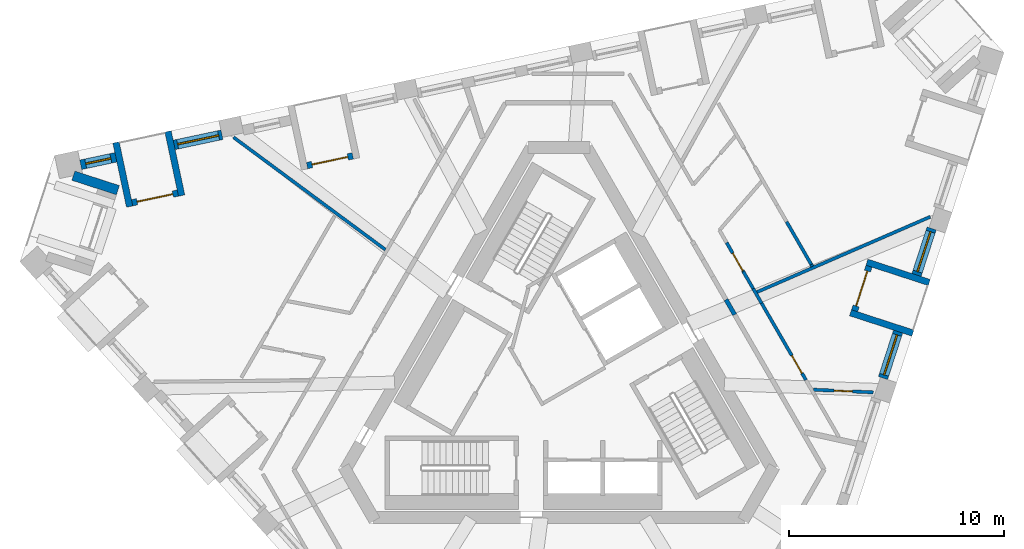
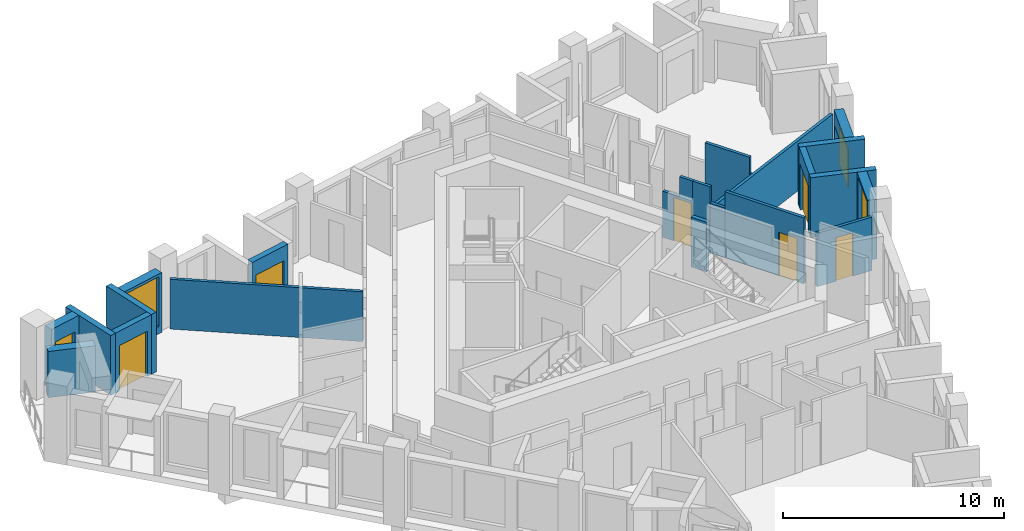
# One storey, part 6 of 12: 22 walls, 6 doors, 4 windows, 10 openings.
"""IFC4 building model written with IfcOpenShell, lengths in metres."""

import ifcopenshell
import ifcopenshell.guid

model = None  # the IFC model being written
_history = None  # IfcOwnerHistory: only IFC2X3 demands one
_inside = {}  # id of a spatial element -> (the spatial element, [elements in it])
_under = {}  # id of a project, library or spatial element -> (it, [spatial elements below it])
_declared = {}  # id of a project -> (the project, [libraries it declares])
_typed = {}  # id of a type object -> (the type object, [elements of that type])
_made_of = {}  # id of a material, layer set ... -> (it, [elements and type objects made of it])


def new_model(schema):
    """Start an empty IFC model of exactly this schema.

    Asked for "IFC4X3", IfcOpenShell would pick the latest addendum, in which some entities
    have other attributes; the version numbers below select the first issue.
    IFC2X3 requires an IfcOwnerHistory on every rooted entity: one is made here for all.
    """
    global model, _history
    if schema == "IFC4X3":
        model = ifcopenshell.file(schema_version=(4, 3, 0, 0))
    else:
        model = ifcopenshell.file(schema=schema)
    _inside.clear()
    _under.clear()
    _declared.clear()
    _typed.clear()
    _made_of.clear()
    _history = None
    if model.schema == "IFC2X3":
        org = make("IfcOrganization", Name="unknown")
        user = make(
            "IfcPersonAndOrganization",
            ThePerson=make("IfcPerson", FamilyName="unknown"),
            TheOrganization=org,
        )
        app = make(
            "IfcApplication",
            ApplicationDeveloper=org,
            Version="unknown",
            ApplicationFullName="unknown",
            ApplicationIdentifier="unknown",
        )
        _history = make(
            "IfcOwnerHistory",
            OwningUser=user,
            OwningApplication=app,
            ChangeAction="ADDED",
            CreationDate=0,
        )
    return model


def make(cls, **values):
    """One entity of the class cls with the attributes given. An attribute that is None is left unset."""
    return model.create_entity(
        cls, **{name: value for name, value in values.items() if value is not None}
    )


def rooted(cls, **values):
    """An entity with a GlobalId (a new one), such as an element, a storey or a relation."""
    return make(cls, GlobalId=ifcopenshell.guid.new(), OwnerHistory=_history, **values)


def si_unit(unit_type, name, prefix=None):
    """IfcSIUnit, for example si_unit("LENGTHUNIT", "METRE", prefix="MILLI")."""
    return make("IfcSIUnit", UnitType=unit_type, Prefix=prefix, Name=name)


def assignment(units):
    """IfcUnitAssignment: the units of a project."""
    return None if units is None else make("IfcUnitAssignment", Units=units)


def point(xyz):
    """IfcCartesianPoint."""
    return None if xyz is None else make("IfcCartesianPoint", Coordinates=xyz)


def direction(xyz):
    """IfcDirection."""
    return None if xyz is None else make("IfcDirection", DirectionRatios=xyz)


def frame(location, z_axis=None, x_axis=None):
    """IfcAxis2Placement3D, a coordinate frame: its origin and axes. An axis left out is left unset."""
    return make(
        "IfcAxis2Placement3D",
        Location=point(location),
        Axis=direction(z_axis),
        RefDirection=direction(x_axis),
    )


def frame_2d(location, x_axis=None):
    """IfcAxis2Placement2D, a coordinate frame in the plane: its origin and x axis."""
    return make(
        "IfcAxis2Placement2D", Location=point(location), RefDirection=direction(x_axis)
    )


def origin():
    """The frame at (0, 0, 0) with its axes left unset."""
    return frame((0.0, 0.0, 0.0))


def place(relative_to, where):
    """IfcLocalPlacement: puts the frame where relative to a parent placement (None: the world)."""
    return make(
        "IfcLocalPlacement", PlacementRelTo=relative_to, RelativePlacement=where
    )


def context(
    kind, dimensions, precision=None, world=None, true_north=None, identifier=None
):
    """IfcGeometricRepresentationContext, for example the 3D "Model" context."""
    return make(
        "IfcGeometricRepresentationContext",
        ContextIdentifier=identifier,
        ContextType=kind,
        CoordinateSpaceDimension=dimensions,
        Precision=precision,
        WorldCoordinateSystem=world,
        TrueNorth=true_north,
    )


def subcontext(parent, identifier, kind, view, scale=None):
    """IfcGeometricRepresentationSubContext, for example "Body" below "Model"."""
    return make(
        "IfcGeometricRepresentationSubContext",
        ContextIdentifier=identifier,
        ContextType=kind,
        ParentContext=parent,
        TargetScale=scale,
        TargetView=view,
    )


def project(units=None, contexts=None):
    """IfcProject with its units and contexts."""
    return rooted(
        "IfcProject",
        Name="project",
        RepresentationContexts=contexts,
        UnitsInContext=assignment(units),
    )


def spatial(cls, under=None, at=None, **own):
    """A site, building, storey or space (cls), placed at a placement, below another one or the project."""
    s = rooted(cls, ObjectPlacement=at, **own)
    if under is not None:
        _under.setdefault(under.id(), (under, []))[1].append(s)
    return s


def polyline(points):
    """IfcPolyline through the points."""
    return make("IfcPolyline", Points=[point(p) for p in points])


def profile(cls, at=None, kind="AREA", **sizes):
    """A parametric profile (cls). Its sizes go by their IFC names, for example OverallWidth=200.0."""
    return make(cls, ProfileType=kind, Position=at, **sizes)


def rectangle(**sizes):
    """IfcRectangleProfileDef."""
    return profile("IfcRectangleProfileDef", **sizes)


def outline(outer, holes=None, kind="AREA"):
    """IfcArbitraryClosedProfileDef: a profile drawn as a closed curve; with holes, ...WithVoids."""
    if holes is None:
        return make("IfcArbitraryClosedProfileDef", ProfileType=kind, OuterCurve=outer)
    return make(
        "IfcArbitraryProfileDefWithVoids",
        ProfileType=kind,
        OuterCurve=outer,
        InnerCurves=holes,
    )


def extrude(swept, where, along, depth):
    """IfcExtrudedAreaSolid: the profile swept, set in the frame where, extruded along a direction by depth."""
    return make(
        "IfcExtrudedAreaSolid",
        SweptArea=swept,
        Position=where,
        ExtrudedDirection=direction(along),
        Depth=depth,
    )


def shape(context_of_items, identifier, shape_type, items):
    """IfcShapeRepresentation: the items that make up one representation, for example the "Body"."""
    return make(
        "IfcShapeRepresentation",
        ContextOfItems=context_of_items,
        RepresentationIdentifier=identifier,
        RepresentationType=shape_type,
        Items=items,
    )


def material(Name=None, Category=None):
    """IfcMaterial."""
    return make("IfcMaterial", Name=Name, Category=Category)


def layer(
    of_material, thickness, ventilated=None, Name=None, Category=None, Priority=None
):
    """IfcMaterialLayer: one layer of a wall or slab, of a material (None: an air gap)."""
    return make(
        "IfcMaterialLayer",
        Material=of_material,
        LayerThickness=thickness,
        IsVentilated=ventilated,
        Name=Name,
        Category=Category,
        Priority=Priority,
    )


def layer_set(layers, Name=None):
    """IfcMaterialLayerSet."""
    return make("IfcMaterialLayerSet", MaterialLayers=layers, LayerSetName=Name)


def made_of(thing, what):
    """Note that an element or type object is made of a material, layer set ...; save() writes the relation."""
    if what is not None:
        _made_of.setdefault(what.id(), (what, []))[1].append(thing)
    return thing


def type_object(cls, material=None, **own):
    """A type object (cls), such as IfcWallType, which elements share."""
    return made_of(rooted(cls, **own), material)


def element(
    cls,
    number,
    at=None,
    inside=None,
    cuts=None,
    type_object=None,
    material=None,
    context=None,
    identifier="Body",
    shape_type=None,
    held_by="IfcProductDefinitionShape",
    body=None,
    shapes=None,
    **own,
):
    """One element of the class cls, such as IfcWall. Its Tag is "e" and its number.

    at: its placement. inside: the storey or other place that contains it. cuts: it is an
    opening in that element (IfcRelVoidsElement). A single representation is given by context,
    identifier, shape_type and body (its items); several are given by shapes. held_by: the class
    of the entity that holds the representations. save() writes the other relations.
    """
    e = rooted(cls, Tag="e%d" % number, ObjectPlacement=at, **own)
    if body is not None:
        shapes = [shape(context, identifier, shape_type, body)]
    if shapes is not None:
        e.Representation = make(held_by, Representations=shapes)
    if inside is not None:
        _inside.setdefault(inside.id(), (inside, []))[1].append(e)
    if cuts is not None:
        rooted(
            "IfcRelVoidsElement", RelatingBuildingElement=cuts, RelatedOpeningElement=e
        )
    if type_object is not None:
        _typed.setdefault(type_object.id(), (type_object, []))[1].append(e)
    return made_of(e, material)


def fill(opening, filler):
    """IfcRelFillsElement: the door or window that sits in an opening."""
    return rooted(
        "IfcRelFillsElement",
        RelatingOpeningElement=opening,
        RelatedBuildingElement=filler,
    )


def aggregate(whole, parts):
    """IfcRelAggregates: a whole, such as a stair, and the parts it consists of."""
    return rooted("IfcRelAggregates", RelatingObject=whole, RelatedObjects=parts)


def save(model, path):
    """Write the relations noted so far, then the file.

    IfcRelAggregates (storeys below a building ...), IfcRelContainedInSpatialStructure (elements
    in a storey), IfcRelDefinesByType, IfcRelAssociatesMaterial and IfcRelDeclares: one each for
    every whole, place, type object, material and project.
    """
    for whole, parts in _under.values():
        aggregate(whole, parts)
    for where, things in _inside.values():
        rooted(
            "IfcRelContainedInSpatialStructure",
            RelatedElements=things,
            RelatingStructure=where,
        )
    for kind, things in _typed.values():
        rooted("IfcRelDefinesByType", RelatedObjects=things, RelatingType=kind)
    for what, things in _made_of.values():
        rooted("IfcRelAssociatesMaterial", RelatedObjects=things, RelatingMaterial=what)
    for by, libraries in _declared.values():
        rooted("IfcRelDeclares", RelatingContext=by, RelatedDefinitions=libraries)
    model.write(path)


model = new_model("IFC4")

# Units and contexts
model_context = context("Model", 3, precision=1e-05, world=origin(), true_north=direction((0.0, 1.0)))
body_context = subcontext(model_context, "Body", "Model", "MODEL_VIEW")
ifc_project = project(units=[si_unit("LENGTHUNIT", "METRE"), si_unit("AREAUNIT", "SQUARE_METRE"), si_unit("VOLUMEUNIT", "CUBIC_METRE"), si_unit("PLANEANGLEUNIT", "RADIAN"), si_unit("MASSUNIT", "GRAM", prefix="KILO")], contexts=[model_context])

# Site, building, storey
site_placement = place(None, origin())
site = spatial("IfcSite", under=ifc_project, at=site_placement, CompositionType="ELEMENT")
building_placement = place(site_placement, origin())
building = spatial("IfcBuilding", under=site, at=building_placement, Name="Tramontana Tower", CompositionType="ELEMENT")
storey_placement = place(building_placement, frame((0.0, 0.0, 320.39990234375)))
storey = spatial("IfcBuildingStorey", under=building, at=storey_placement, Name="L73", CompositionType="ELEMENT", Elevation=320.39990234375)

# Wall
ifc_material_1 = material(Name="Blockwork", Category="masonry")
ifc_layer_1 = layer(ifc_material_1, 0.199951171875)
ifc_layer_set_1 = layer_set([ifc_layer_1], Name="ENTRY WALL 200")
wall_type_1 = type_object("IfcWallType", Name="ENTRY WALL 200", PredefinedType="SOLIDWALL", material=ifc_layer_set_1)
wall_1_placement = place(storey_placement, frame((7.765380859375, 3.64990234375, 0.0), z_axis=(0.0, 0.0, 1.0), x_axis=(0.500141487433, -0.865943700565, 0.0)))
element("IfcWall", 1, at=wall_1_placement, inside=storey, type_object=wall_type_1, Name="Wall v80-ew5-7", PredefinedType="SOLIDWALL", context=body_context, shape_type="SweptSolid", body=[
    extrude(rectangle(XDim=0.806884765625, YDim=0.199951171875, at=frame_2d((0.4033203125, 0.0))), origin(), (0.0, 0.0, 1.0), 2.75),
])

# Wall, opening, window
ifc_material_2 = material(Name="Precast concrete 60 MPa", Category="concrete")
ifc_layer_2 = layer(ifc_material_2, 0.449951171875)
ifc_layer_set_2 = layer_set([ifc_layer_2], Name="Precast concrete 60 MPa, 450 mm")
wall_type_2 = type_object("IfcWallType", Name="EW1 Stone-faced precast wall 450", PredefinedType="SOLIDWALL", material=ifc_layer_set_2)
wall_2_placement = place(storey_placement, frame((15.06298828125, 0.00244140625, 0.0), z_axis=(0.0, 0.0, 1.0), x_axis=(0.309059334219, 0.951042758204, 0.0)))
wall_2 = element("IfcWall", 2, at=wall_2_placement, inside=storey, type_object=wall_type_2, Name="External wall L73 face 1 bay 4", PredefinedType="SOLIDWALL", context=body_context, shape_type="SweptSolid", body=[
    extrude(rectangle(XDim=2.27099609375, YDim=0.449951171875, at=frame_2d((1.135498046875, 0.0))), origin(), (0.0, 0.0, 1.0), 3.300048828125),
])
opening_1_placement = place(wall_2_placement, frame((0.16064453125, 0.0, 0.39990234375)))
opening_1 = element("IfcOpeningElement", 3, at=opening_1_placement, cuts=wall_2, Name="Opening M3", PredefinedType="OPENING", context=body_context, shape_type="SweptSolid", body=[
    extrude(rectangle(XDim=1.949951171875, YDim=2.75, at=frame_2d((0.97509765625, 1.375))), frame((0.0, 0.23486328125, 0.0), z_axis=(0.0, -1.0, 0.0), x_axis=(1.0, 0.0, 0.0)), (0.0, 0.0, 1.0), 0.469970703125),
])
ifc_material_3 = material(Name="Aluminum frame, double glazing unit", Category="aluminium")
window_type_1 = type_object("IfcWindowType", Name="M3 Window 1.95 x 2.75", PartitioningType="SINGLE_PANEL", PredefinedType="WINDOW", material=ifc_material_3)
window_1_placement = place(opening_1_placement, origin())
window_1 = element("IfcWindow", 4, at=window_1_placement, inside=storey, type_object=window_type_1, Name="Window M3 L73 face 1 module 10", OverallHeight=2.75, OverallWidth=1.949951171875, PartitioningType="SINGLE_PANEL", PredefinedType="WINDOW", context=body_context, shape_type="SweptSolid", body=[
    extrude(rectangle(XDim=1.949951171875, YDim=2.75, at=frame_2d((0.97509765625, 1.375))), frame((0.0, 0.030029296875, 0.0), z_axis=(0.0, -1.0, 0.0), x_axis=(1.0, 0.0, 0.0)), (0.0, 0.0, 1.0), 0.06005859375),
])
fill(opening_1, window_1)

wall_3_placement = place(storey_placement, frame((16.62109375, 4.798095703125, 0.0), z_axis=(0.0, 0.0, 1.0), x_axis=(0.309027740273, 0.951053024674, 0.0)))
wall_3 = element("IfcWall", 5, at=wall_3_placement, inside=storey, type_object=wall_type_2, Name="External wall L73 face 1 bay 4", PredefinedType="SOLIDWALL", context=body_context, shape_type="SweptSolid", body=[
    extrude(rectangle(XDim=2.271240234375, YDim=0.449951171875, at=frame_2d((1.1357421875, 0.0))), origin(), (0.0, 0.0, 1.0), 3.300048828125),
])
opening_2_placement = place(wall_3_placement, frame((0.16064453125, 0.0, 0.39990234375)))
opening_2 = element("IfcOpeningElement", 6, at=opening_2_placement, cuts=wall_3, Name="Opening M3L", PredefinedType="OPENING", context=body_context, shape_type="SweptSolid", body=[
    extrude(rectangle(XDim=1.949951171875, YDim=2.10009765625, at=frame_2d((0.97509765625, 1.050048828125))), frame((0.0, 0.23486328125, 0.0), z_axis=(0.0, -1.0, 0.0), x_axis=(1.0, 0.0, 0.0)), (0.0, 0.0, 1.0), 0.469970703125),
])
ifc_material_4 = material(Name="Aluminum frame, double glazing unit", Category="aluminium")
window_type_2 = type_object("IfcWindowType", Name="M3L Window 1.95 x 2.1", PartitioningType="SINGLE_PANEL", PredefinedType="WINDOW", material=ifc_material_4)
window_2_placement = place(opening_2_placement, origin())
window_2 = element("IfcWindow", 7, at=window_2_placement, inside=storey, type_object=window_type_2, Name="Window M3L L73 face 1 module 12", OverallHeight=2.10009765625, OverallWidth=1.949951171875, PartitioningType="SINGLE_PANEL", PredefinedType="WINDOW", context=body_context, shape_type="SweptSolid", body=[
    extrude(rectangle(XDim=1.949951171875, YDim=2.10009765625, at=frame_2d((0.97509765625, 1.050048828125))), frame((0.0, 0.030029296875, 0.0), z_axis=(0.0, -1.0, 0.0), x_axis=(1.0, 0.0, 0.0)), (0.0, 0.0, 1.0), 0.06005859375),
])
fill(opening_2, window_2)

wall_4_placement = place(storey_placement, frame((-15.665771484375, 11.315185546875, 0.0), z_axis=(0.0, 0.0, 1.0), x_axis=(-0.978148740936, -0.207906326516, 0.0)))
wall_4 = element("IfcWall", 8, at=wall_4_placement, inside=storey, type_object=wall_type_2, Name="External wall L73 face 2 bay 5", PredefinedType="SOLIDWALL", context=body_context, shape_type="SweptSolid", body=[
    extrude(rectangle(XDim=2.27099609375, YDim=0.449951171875, at=frame_2d((1.135498046875, 0.0))), origin(), (0.0, 0.0, 1.0), 3.300048828125),
])
opening_3_placement = place(wall_4_placement, frame((0.16064453125, 0.0, 0.39990234375)))
opening_3 = element("IfcOpeningElement", 9, at=opening_3_placement, cuts=wall_4, Name="Opening M3", PredefinedType="OPENING", context=body_context, shape_type="SweptSolid", body=[
    extrude(rectangle(XDim=1.949951171875, YDim=2.75, at=frame_2d((0.97509765625, 1.375))), frame((0.0, 0.23486328125, 0.0), z_axis=(0.0, -1.0, 0.0), x_axis=(1.0, 0.0, 0.0)), (0.0, 0.0, 1.0), 0.469970703125),
])
window_3_placement = place(opening_3_placement, origin())
window_3 = element("IfcWindow", 10, at=window_3_placement, inside=storey, type_object=window_type_1, Name="Window M3 L73 face 2 module 13", OverallHeight=2.75, OverallWidth=1.949951171875, PartitioningType="SINGLE_PANEL", PredefinedType="WINDOW", context=body_context, shape_type="SweptSolid", body=[
    extrude(rectangle(XDim=1.949951171875, YDim=2.75, at=frame_2d((0.97509765625, 1.375))), frame((0.0, 0.030029296875, 0.0), z_axis=(0.0, -1.0, 0.0), x_axis=(1.0, 0.0, 0.0)), (0.0, 0.0, 1.0), 0.06005859375),
])
fill(opening_3, window_3)

wall_5_placement = place(storey_placement, frame((-20.59814453125, 10.266845703125, 0.0), z_axis=(0.0, 0.0, 1.0), x_axis=(-0.978126168783, -0.208012494676, 0.0)))
wall_5 = element("IfcWall", 11, at=wall_5_placement, inside=storey, type_object=wall_type_2, Name="External wall L73 face 2 bay 5", PredefinedType="SOLIDWALL", context=body_context, shape_type="SweptSolid", body=[
    extrude(rectangle(XDim=1.67138671875, YDim=0.449951171875, at=frame_2d((0.835693359375, 0.0))), origin(), (0.0, 0.0, 1.0), 3.300048828125),
])
opening_4_placement = place(wall_5_placement, frame((0.235595703125, 0.0, 0.39990234375)))
opening_4 = element("IfcOpeningElement", 12, at=opening_4_placement, cuts=wall_5, Name="Opening N3L", PredefinedType="OPENING", context=body_context, shape_type="SweptSolid", body=[
    extrude(rectangle(XDim=1.199951171875, YDim=2.10009765625, at=frame_2d((0.60009765625, 1.050048828125))), frame((0.0, 0.23486328125, 0.0), z_axis=(0.0, -1.0, 0.0), x_axis=(1.0, 0.0, 0.0)), (0.0, 0.0, 1.0), 0.469970703125),
])
ifc_material_5 = material(Name="Aluminum frame, double glazing unit", Category="aluminium")
window_type_3 = type_object("IfcWindowType", Name="N3L Window 1.2 x 2.1", PartitioningType="SINGLE_PANEL", PredefinedType="WINDOW", material=ifc_material_5)
window_4_placement = place(opening_4_placement, origin())
window_4 = element("IfcWindow", 13, at=window_4_placement, inside=storey, type_object=window_type_3, Name="Window N3L L73 face 2 module 15", OverallHeight=2.10009765625, OverallWidth=1.199951171875, PartitioningType="SINGLE_PANEL", PredefinedType="WINDOW", context=body_context, shape_type="SweptSolid", body=[
    extrude(rectangle(XDim=1.199951171875, YDim=2.10009765625, at=frame_2d((0.60009765625, 1.050048828125))), frame((0.0, 0.030029296875, 0.0), z_axis=(0.0, -1.0, 0.0), x_axis=(1.0, 0.0, 0.0)), (0.0, 0.0, 1.0), 0.06005859375),
])
fill(opening_4, window_4)

# Wall
wall_6_placement = place(storey_placement, frame((-22.57568359375, 9.411865234375, 0.0), z_axis=(0.0, 0.0, 1.0), x_axis=(0.951064526973, -0.308992338955, 0.0)))
element("IfcWall", 14, at=wall_6_placement, inside=storey, type_object=wall_type_2, Name="Corner loggia side wall L73 K80r", PredefinedType="SOLIDWALL", context=body_context, shape_type="SweptSolid", body=[
    extrude(rectangle(XDim=2.17919921875, YDim=0.449951171875, at=frame_2d((1.089599609375, 0.0))), origin(), (0.0, 0.0, 1.0), 2.550048828125),
])

# Wall, opening, door
ifc_material_6 = material(Name="Precast concrete 60 MPa", Category="concrete")
ifc_layer_3 = layer(ifc_material_6, 0.300048828125)
ifc_layer_set_3 = layer_set([ifc_layer_3], Name="LW1 Stone-faced loggia wall 300")
wall_type_3 = type_object("IfcWallType", Name="LW1 Stone-faced loggia wall 300", PredefinedType="SOLIDWALL", material=ifc_layer_set_3)
wall_7_placement = place(storey_placement, frame((13.741455078125, 3.13525390625, 0.0), z_axis=(0.0, 0.0, 1.0), x_axis=(0.308966581759, 0.95107289487, 0.0)))
wall_7 = element("IfcWall", 15, at=wall_7_placement, inside=storey, type_object=wall_type_3, Name="Loggia wall L73 G8S1.10", PredefinedType="SOLIDWALL", context=body_context, shape_type="SweptSolid", body=[
    extrude(rectangle(XDim=2.17138671875, YDim=0.300048828125, at=frame_2d((1.085693359375, 0.0))), origin(), (0.0, 0.0, 1.0), 3.300048828125),
])
opening_5_placement = place(wall_7_placement, frame((0.235595703125, 0.0, 0.0)))
opening_5 = element("IfcOpeningElement", 16, at=opening_5_placement, cuts=wall_7, Name="Opening BD-8S1-10", PredefinedType="OPENING", context=body_context, shape_type="SweptSolid", body=[
    extrude(rectangle(XDim=1.699951171875, YDim=2.5, at=frame_2d((0.85009765625, 1.25))), frame((0.0, 0.159912109375, 0.0), z_axis=(0.0, -1.0, 0.0), x_axis=(1.0, 0.0, 0.0)), (0.0, 0.0, 1.0), 0.320068359375),
])
ifc_material_7 = material(Name="Aluminum frame, double glazing unit", Category="aluminium")
door_type_1 = type_object("IfcDoorType", Name="BD3 Sliding door 1.7 x 2.5", OperationType="SLIDING_TO_LEFT", PredefinedType="DOOR", material=ifc_material_7)
door_1_placement = place(opening_5_placement, origin())
door_1 = element("IfcDoor", 17, at=door_1_placement, inside=storey, type_object=door_type_1, Name="Loggia door L73 G8S1.10", OperationType="SLIDING_TO_LEFT", OverallHeight=2.5, OverallWidth=1.699951171875, PredefinedType="DOOR", context=body_context, shape_type="SweptSolid", body=[
    extrude(rectangle(XDim=1.699951171875, YDim=2.5, at=frame_2d((0.85009765625, 1.25))), frame((0.0, 0.02490234375, 0.0), z_axis=(0.0, -1.0, 0.0), x_axis=(1.0, 0.0, 0.0)), (0.0, 0.0, 1.0), 0.050048828125),
])
fill(opening_5, door_1)

# Walls
for number, where, z_axis, x_axis, name in (
    (18, (16.453125, 2.096435546875, 0.0), (0.0, 0.0, 1.0), (-0.951041715693, 0.309062542235, 0.0), "Loggia return L73 G8S1.10a"),
    (19, (17.216796875, 4.44677734375, 0.0), (0.0, 0.0, 1.0), (-0.951041715693, 0.309062542235, 0.0), "Loggia return L73 G8S1.10b"),
):
    element("IfcWall", number, at=place(storey_placement, frame(where, z_axis=z_axis, x_axis=x_axis)), inside=storey, type_object=wall_type_3, Name=name, PredefinedType="SOLIDWALL", context=body_context, shape_type="SweptSolid", body=[
        extrude(rectangle(XDim=3.050048828125, YDim=0.300048828125, at=frame_2d((1.52490234375, 0.0))), origin(), (0.0, 0.0, 1.0), 3.300048828125),
    ])

# Wall, opening, door
wall_8_placement = place(storey_placement, frame((-9.5859375, 10.332763671875, 0.0), z_axis=(0.0, 0.0, 1.0), x_axis=(-0.978148276005, -0.207908513891, 0.0)))
wall_8 = element("IfcWall", 20, at=wall_8_placement, inside=storey, type_object=wall_type_3, Name="Loggia wall L73 G8S2.10", PredefinedType="SOLIDWALL", context=body_context, shape_type="SweptSolid", body=[
    extrude(rectangle(XDim=2.171142578125, YDim=0.300048828125, at=frame_2d((1.08544921875, 0.0))), origin(), (0.0, 0.0, 1.0), 3.300048828125),
])
opening_6_placement = place(wall_8_placement, frame((0.235595703125, 0.0, 0.0)))
opening_6 = element("IfcOpeningElement", 21, at=opening_6_placement, cuts=wall_8, Name="Opening BD-8S2-10", PredefinedType="OPENING", context=body_context, shape_type="SweptSolid", body=[
    extrude(rectangle(XDim=1.699951171875, YDim=2.5, at=frame_2d((0.85009765625, 1.25))), frame((0.0, 0.159912109375, 0.0), z_axis=(0.0, -1.0, 0.0), x_axis=(1.0, 0.0, 0.0)), (0.0, 0.0, 1.0), 0.320068359375),
])
door_2_placement = place(opening_6_placement, origin())
door_2 = element("IfcDoor", 22, at=door_2_placement, inside=storey, type_object=door_type_1, Name="Loggia door L73 G8S2.10", OperationType="SLIDING_TO_LEFT", OverallHeight=2.5, OverallWidth=1.699951171875, PredefinedType="DOOR", context=body_context, shape_type="SweptSolid", body=[
    extrude(rectangle(XDim=1.699951171875, YDim=2.5, at=frame_2d((0.85009765625, 1.25))), frame((0.0, 0.02490234375, 0.0), z_axis=(0.0, -1.0, 0.0), x_axis=(1.0, 0.0, 0.0)), (0.0, 0.0, 1.0), 0.050048828125),
])
fill(opening_6, door_2)

wall_9_placement = place(storey_placement, frame((-17.71826171875, 8.604248046875, 0.0), z_axis=(0.0, 0.0, 1.0), x_axis=(-0.978148276005, -0.207908513891, 0.0)))
wall_9 = element("IfcWall", 23, at=wall_9_placement, inside=storey, type_object=wall_type_3, Name="Loggia wall L73 G8S2.13", PredefinedType="SOLIDWALL", context=body_context, shape_type="SweptSolid", body=[
    extrude(rectangle(XDim=2.171142578125, YDim=0.300048828125, at=frame_2d((1.08544921875, 0.0))), origin(), (0.0, 0.0, 1.0), 3.300048828125),
])
opening_7_placement = place(wall_9_placement, frame((0.235595703125, 0.0, 0.0)))
opening_7 = element("IfcOpeningElement", 24, at=opening_7_placement, cuts=wall_9, Name="Opening BD-8S2-13", PredefinedType="OPENING", context=body_context, shape_type="SweptSolid", body=[
    extrude(rectangle(XDim=1.699951171875, YDim=2.5, at=frame_2d((0.85009765625, 1.25))), frame((0.0, 0.159912109375, 0.0), z_axis=(0.0, -1.0, 0.0), x_axis=(1.0, 0.0, 0.0)), (0.0, 0.0, 1.0), 0.320068359375),
])
door_3_placement = place(opening_7_placement, origin())
door_3 = element("IfcDoor", 25, at=door_3_placement, inside=storey, type_object=door_type_1, Name="Loggia door L73 G8S2.13", OperationType="SLIDING_TO_LEFT", OverallHeight=2.5, OverallWidth=1.699951171875, PredefinedType="DOOR", context=body_context, shape_type="SweptSolid", body=[
    extrude(rectangle(XDim=1.699951171875, YDim=2.5, at=frame_2d((0.85009765625, 1.25))), frame((0.0, 0.02490234375, 0.0), z_axis=(0.0, -1.0, 0.0), x_axis=(1.0, 0.0, 0.0)), (0.0, 0.0, 1.0), 0.050048828125),
])
fill(opening_7, door_3)

# Walls
wall_10_placement = place(storey_placement, frame((-18.17431640625, 11.471923828125, 0.0), z_axis=(0.0, 0.0, 1.0), x_axis=(0.207894179953, -0.978151322619, 0.0)))
element("IfcWall", 26, at=wall_10_placement, inside=storey, type_object=wall_type_3, Name="Loggia return L73 G8S2.13a", PredefinedType="SOLIDWALL", context=body_context, shape_type="SweptSolid", body=[
    extrude(rectangle(XDim=3.0498046875, YDim=0.300048828125, at=frame_2d((1.52490234375, 0.0))), origin(), (0.0, 0.0, 1.0), 3.300048828125),
])
wall_11_placement = place(storey_placement, frame((-20.591552734375, 10.958251953125, 0.0), z_axis=(0.0, 0.0, 1.0), x_axis=(0.207877902534, -0.978154782045, 0.0)))
element("IfcWall", 27, at=wall_11_placement, inside=storey, type_object=wall_type_3, Name="Loggia return L73 G8S2.13b", PredefinedType="SOLIDWALL", context=body_context, shape_type="SweptSolid", body=[
    extrude(rectangle(XDim=3.050048828125, YDim=0.300048828125, at=frame_2d((1.52490234375, 0.0))), origin(), (0.0, 0.0, 1.0), 3.300048828125),
])
ifc_material_8 = material(Name="Gypsum board partition")
ifc_layer_4 = layer(ifc_material_8, 0.14990234375)
ifc_layer_set_4 = layer_set([ifc_layer_4], Name="PARTITION 150")
wall_type_4 = type_object("IfcWallType", Name="PARTITION 150", PredefinedType="PARTITIONING", material=ifc_layer_set_4)
wall_12_placement = place(storey_placement, frame((-15.1298828125, 11.198974609375, 0.0), z_axis=(0.0, 0.0, 1.0), x_axis=(0.80377624172, -0.594931721499, 0.0)))
element("IfcWall", 28, at=wall_12_placement, inside=storey, type_object=wall_type_4, Name="Wall v80-pw00-0", PredefinedType="PARTITIONING", context=body_context, shape_type="SweptSolid", body=[
    extrude(rectangle(XDim=8.783935546875, YDim=0.14990234375, at=frame_2d((4.39208984375, 0.0))), origin(), (0.0, 0.0, 1.0), 2.75),
])
wall_13_placement = place(storey_placement, frame((10.57958984375, 7.275390625, 0.0), z_axis=(0.0, 0.0, 1.0), x_axis=(0.500012835235, -0.866017993231, 0.0)))
element("IfcWall", 29, at=wall_13_placement, inside=storey, type_object=wall_type_4, Name="Wall v80-pw24-4", PredefinedType="PARTITIONING", context=body_context, shape_type="SweptSolid", body=[
    extrude(rectangle(XDim=2.3046875, YDim=0.14990234375, at=frame_2d((1.15234375, 0.0))), origin(), (0.0, 0.0, 1.0), 3.650146484375),
])
wall_14_placement = place(storey_placement, frame((11.73193359375, 5.279541015625, 0.0), z_axis=(0.0, 0.0, 1.0), x_axis=(0.501036270542, -0.865426285481, 0.0)))
element("IfcWall", 30, at=wall_14_placement, inside=storey, type_object=wall_type_4, Name="Wall v80-pw24-5", PredefinedType="PARTITIONING", context=body_context, shape_type="SweptSolid", body=[
    extrude(rectangle(XDim=0.091064453125, YDim=0.14990234375, at=frame_2d((0.04541015625, 0.0))), origin(), (0.0, 0.0, 1.0), 2.75),
])

# Wall, opening, door
wall_15_placement = place(storey_placement, frame((7.792236328125, 6.303466796875, 0.0), z_axis=(0.0, 0.0, 1.0), x_axis=(0.50003806587, -0.866003425329, 0.0)))
wall_15 = element("IfcWall", 31, at=wall_15_placement, inside=storey, type_object=wall_type_4, Name="Wall v80-pw25-1", PredefinedType="PARTITIONING", context=body_context, shape_type="SweptSolid", body=[
    extrude(outline(polyline([(0.0, 0.0), (1.5625, 0.0), (1.562255859375, 3.650146484375), (0.880615234375, 3.650146484375), (0.880615234375, 2.550048828125), (0.0, 2.550048828125), (0.0, 0.0)])), frame((0.0, 0.074951171875, 0.0), z_axis=(0.0, -1.0, 0.0), x_axis=(1.0, 0.0, 0.0)), (0.0, 0.0, 1.0), 0.14990234375),
])
opening_8_placement = place(wall_15_placement, frame((0.562255859375, 0.0, 0.0)))
opening_8 = element("IfcOpeningElement", 32, at=opening_8_placement, cuts=wall_15, Name="Opening B8A-13", PredefinedType="OPENING", context=body_context, shape_type="SweptSolid", body=[
    extrude(rectangle(XDim=0.949951171875, YDim=2.39990234375, at=frame_2d((0.47509765625, 1.199951171875))), frame((0.0, 0.0849609375, 0.0), z_axis=(0.0, -1.0, 0.0), x_axis=(1.0, 0.0, 0.0)), (0.0, 0.0, 1.0), 0.169921875),
])
ifc_material_9 = material(Name="Painted timber", Category="wood")
door_type_2 = type_object("IfcDoorType", Name="DOOR ROOM 950", OperationType="SINGLE_SWING_LEFT", PredefinedType="DOOR", material=ifc_material_9)
door_4_placement = place(opening_8_placement, origin())
door_4 = element("IfcDoor", 33, at=door_4_placement, inside=storey, type_object=door_type_2, Name="Door B8A-13", OperationType="SINGLE_SWING_LEFT", OverallHeight=2.39990234375, OverallWidth=0.949951171875, PredefinedType="DOOR", context=body_context, shape_type="SweptSolid", body=[
    extrude(rectangle(XDim=0.949951171875, YDim=2.39990234375, at=frame_2d((0.47509765625, 1.199951171875))), frame((0.0, 0.02490234375, 0.0), z_axis=(0.0, -1.0, 0.0), x_axis=(1.0, 0.0, 0.0)), (0.0, 0.0, 1.0), 0.050048828125),
])
fill(opening_8, door_4)

# Walls
wall_16_placement = place(storey_placement, frame((8.573486328125, 4.950439453125, 0.0), z_axis=(0.0, 0.0, 1.0), x_axis=(0.500023511883, -0.866011828767, 0.0)))
element("IfcWall", 34, at=wall_16_placement, inside=storey, type_object=wall_type_4, Name="Wall v80-pw25-2", PredefinedType="PARTITIONING", context=body_context, shape_type="SweptSolid", body=[
    extrude(rectangle(XDim=0.91259765625, YDim=0.14990234375, at=frame_2d((0.456298828125, 0.0))), origin(), (0.0, 0.0, 1.0), 3.650146484375),
])
wall_17_placement = place(storey_placement, frame((9.02978515625, 4.16015625, 0.0), z_axis=(0.0, 0.0, 1.0), x_axis=(0.499767520639, -0.866159584207, 0.0)))
element("IfcWall", 35, at=wall_17_placement, inside=storey, type_object=wall_type_4, Name="Wall v80-pw25-3", PredefinedType="PARTITIONING", context=body_context, shape_type="SweptSolid", body=[
    extrude(rectangle(XDim=0.781494140625, YDim=0.14990234375, at=frame_2d((0.390625, 0.0))), origin(), (0.0, 0.0, 1.0), 2.75),
])

# Wall, opening, door
wall_18_placement = place(storey_placement, frame((9.42041015625, 3.483154296875, 0.0), z_axis=(0.0, 0.0, 1.0), x_axis=(0.50002680699, -0.866009926209, 0.0)))
wall_18 = element("IfcWall", 36, at=wall_18_placement, inside=storey, type_object=wall_type_4, Name="Wall v80-pw25-4", PredefinedType="PARTITIONING", context=body_context, shape_type="SweptSolid", body=[
    extrude(rectangle(XDim=4.119873046875, YDim=0.14990234375, at=frame_2d((2.06005859375, 0.0))), origin(), (0.0, 0.0, 1.0), 3.650146484375),
])
opening_9_placement = place(wall_18_placement, frame((2.807861328125, 0.0, 0.0)))
opening_9 = element("IfcOpeningElement", 37, at=opening_9_placement, cuts=wall_18, Name="Opening B8A-16", PredefinedType="OPENING", context=body_context, shape_type="SweptSolid", body=[
    extrude(rectangle(XDim=0.949951171875, YDim=2.39990234375, at=frame_2d((0.47509765625, 1.199951171875))), frame((0.0, 0.0849609375, 0.0), z_axis=(0.0, -1.0, 0.0), x_axis=(1.0, 0.0, 0.0)), (0.0, 0.0, 1.0), 0.169921875),
])
door_5_placement = place(opening_9_placement, origin())
door_5 = element("IfcDoor", 38, at=door_5_placement, inside=storey, type_object=door_type_2, Name="Door B8A-16", OperationType="SINGLE_SWING_RIGHT", OverallHeight=2.39990234375, OverallWidth=0.949951171875, PredefinedType="DOOR", context=body_context, shape_type="SweptSolid", body=[
    extrude(rectangle(XDim=0.949951171875, YDim=2.39990234375, at=frame_2d((0.47509765625, 1.199951171875))), frame((0.0, 0.02490234375, 0.0), z_axis=(0.0, -1.0, 0.0), x_axis=(1.0, 0.0, 0.0)), (0.0, 0.0, 1.0), 0.050048828125),
])
fill(opening_9, door_5)

wall_19_placement = place(storey_placement, frame((14.610595703125, -0.661865234375, 0.0), z_axis=(0.0, 0.0, 1.0), x_axis=(-0.998973232514, 0.045304312387, 0.0)))
wall_19 = element("IfcWall", 39, at=wall_19_placement, inside=storey, type_object=wall_type_4, Name="Wall v80-pw29-0", PredefinedType="PARTITIONING", context=body_context, shape_type="SweptSolid", body=[
    extrude(rectangle(XDim=2.7861328125, YDim=0.14990234375, at=frame_2d((1.39306640625, 0.0))), origin(), (0.0, 0.0, 1.0), 2.9501953125),
])
opening_10_placement = place(wall_19_placement, frame((0.968017578125, 0.0, 0.0)))
opening_10 = element("IfcOpeningElement", 40, at=opening_10_placement, cuts=wall_19, Name="Opening B8A-18", PredefinedType="OPENING", context=body_context, shape_type="SweptSolid", body=[
    extrude(rectangle(XDim=0.85009765625, YDim=2.39990234375, at=frame_2d((0.425048828125, 1.199951171875))), frame((0.0, 0.0849609375, 0.0), z_axis=(0.0, -1.0, 0.0), x_axis=(1.0, 0.0, 0.0)), (0.0, 0.0, 1.0), 0.169921875),
])
ifc_material_10 = material(Name="Painted timber", Category="wood")
door_type_3 = type_object("IfcDoorType", Name="DOOR BATH 850", OperationType="SINGLE_SWING_LEFT", PredefinedType="DOOR", material=ifc_material_10)
door_6_placement = place(opening_10_placement, origin())
door_6 = element("IfcDoor", 41, at=door_6_placement, inside=storey, type_object=door_type_3, Name="Door B8A-18", OperationType="SINGLE_SWING_RIGHT", OverallHeight=2.39990234375, OverallWidth=0.85009765625, PredefinedType="DOOR", context=body_context, shape_type="SweptSolid", body=[
    extrude(rectangle(XDim=0.85009765625, YDim=2.39990234375, at=frame_2d((0.425048828125, 1.199951171875))), frame((0.0, 0.02490234375, 0.0), z_axis=(0.0, -1.0, 0.0), x_axis=(1.0, 0.0, 0.0)), (0.0, 0.0, 1.0), 0.050048828125),
])
fill(opening_10, door_6)

# Wall
wall_20_placement = place(storey_placement, frame((17.263427734375, 7.503173828125, 0.0), z_axis=(0.0, 0.0, 1.0), x_axis=(-0.917126165883, -0.398597034425, 0.0)))
element("IfcWall", 42, at=wall_20_placement, inside=storey, type_object=wall_type_4, Name="Wall v80-pw32-0", PredefinedType="PARTITIONING", context=body_context, shape_type="SweptSolid", body=[
    extrude(rectangle(XDim=8.783935546875, YDim=0.14990234375, at=frame_2d((4.39208984375, 0.0))), origin(), (0.0, 0.0, 1.0), 2.75),
])

save(model, "model.ifc")
